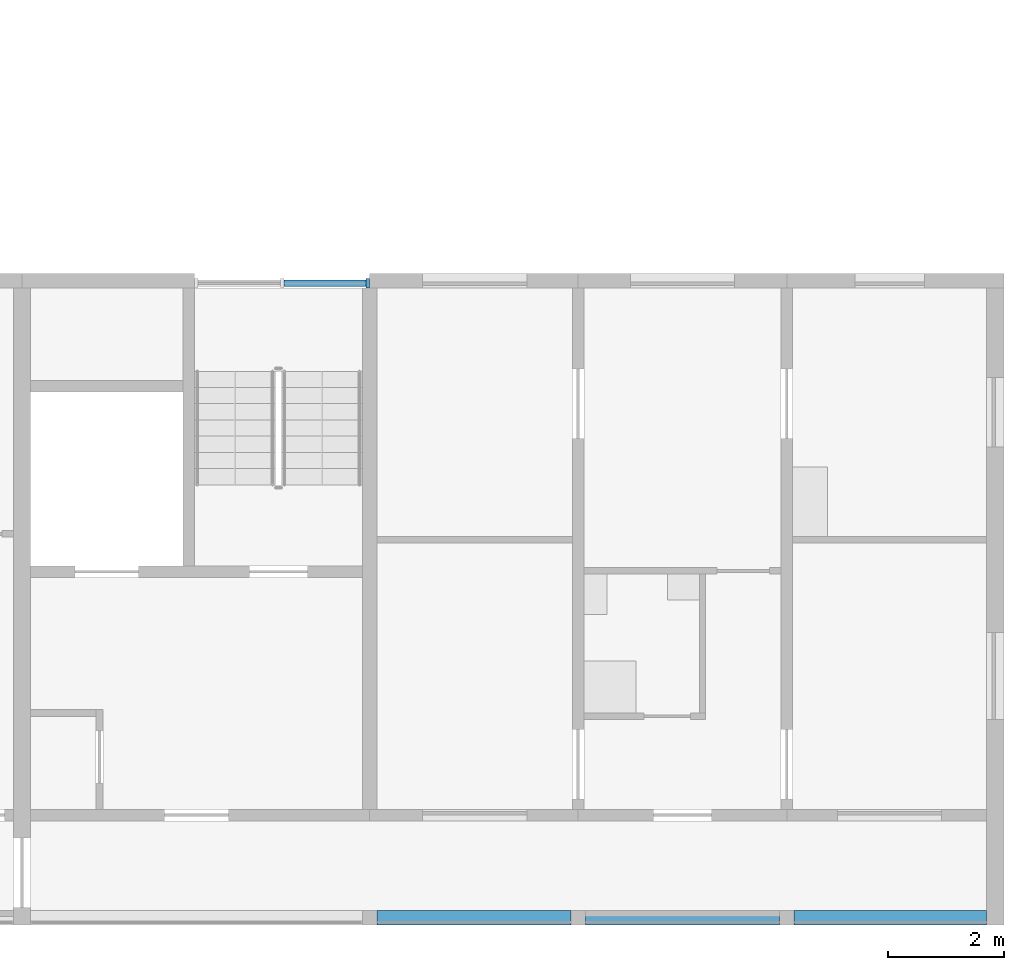
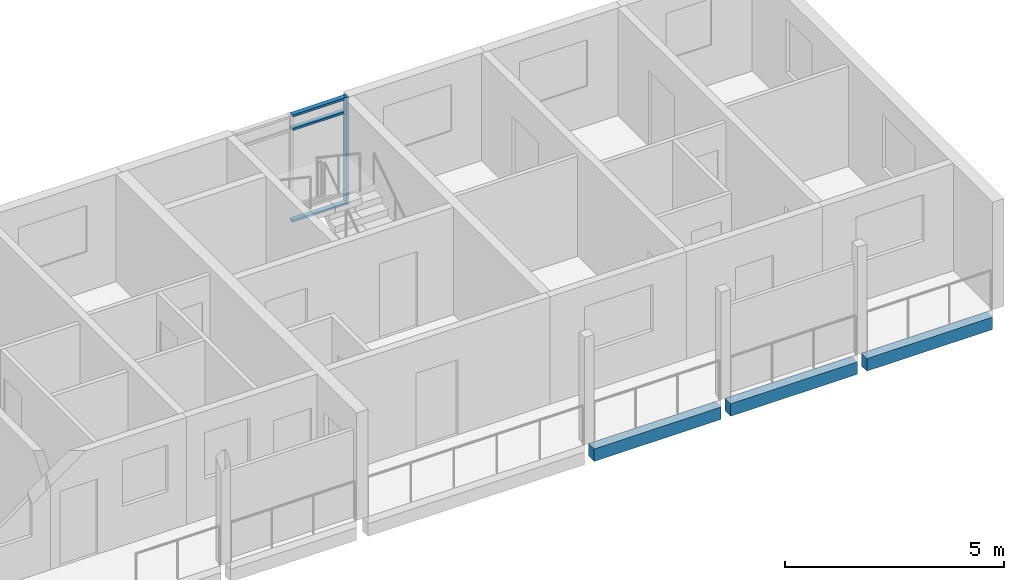
# One storey, part 18 of 78: 4 members, 3 beams, 1 element without a shape of its own.
"""IFC4 building model written with IfcOpenShell, lengths in metres."""

from ifc_helpers import new_model, si_unit, direction, frame, origin, origin_2d, place, context, subcontext, project, spatial, rectangle, extrude, material, material_profile, profile_set, type_object, element, aggregate, save


model = new_model("IFC4")

# Units and contexts
model_context = context("Model", 3, precision=1e-05, world=origin(), true_north=direction((0.0, 1.0)))
body_context = subcontext(model_context, "Body", "Model", "MODEL_VIEW")
ifc_project = project(units=[si_unit("LENGTHUNIT", "METRE"), si_unit("AREAUNIT", "SQUARE_METRE"), si_unit("VOLUMEUNIT", "CUBIC_METRE"), si_unit("PLANEANGLEUNIT", "RADIAN"), si_unit("MASSUNIT", "GRAM", prefix="KILO")], contexts=[model_context])

# Site, building, storey
site_placement = place(None, origin())
site = spatial("IfcSite", under=ifc_project, at=site_placement, CompositionType="ELEMENT")
building_placement = place(site_placement, origin())
building = spatial("IfcBuilding", under=site, at=building_placement, Name="Ridgestep Commons", CompositionType="ELEMENT")
storey_placement = place(building_placement, frame((0.0, 0.0, 30.0)))
storey = spatial("IfcBuildingStorey", under=building, at=storey_placement, Name="L10", CompositionType="ELEMENT", Elevation=30.0)

# Beams
ifc_material_1 = material(Name="Precast concrete C40/50", Category="concrete")
ifc_material_profile_1 = material_profile(ifc_material_1, rectangle(XDim=0.25, YDim=0.35009765625, at=origin_2d()), Name="PC 250x350")
ifc_profile_set_1 = profile_set([ifc_material_profile_1], Name="Precast concrete C40/50")
beam_type = type_object("IfcBeamType", Name="Loggia edge beam 250 x 350", PredefinedType="SPANDREL", material=ifc_profile_set_1)
beam_1_placement = place(storey_placement, frame((236.925048828125, 11.875, -0.375), z_axis=(1.0, 0.0, 0.0), x_axis=(0.0, 1.0, 0.0)))
element("IfcBeam", 1, at=beam_1_placement, inside=storey, type_object=beam_type, Name="Loggia edge beam D6T3 L10", PredefinedType="SPANDREL", context=body_context, shape_type="SweptSolid", body=[
    extrude(rectangle(XDim=0.25, YDim=0.35009765625, at=origin_2d()), origin(), (0.0, 0.0, 1.0), 3.349853515625),
])
beam_2_placement = place(storey_placement, frame((240.52490234375, 11.875, -0.375), z_axis=(1.0, 0.0, 0.0), x_axis=(0.0, 1.0, 0.0)))
element("IfcBeam", 2, at=beam_2_placement, inside=storey, type_object=beam_type, Name="Loggia edge beam D6T2 L10", PredefinedType="SPANDREL", context=body_context, shape_type="SweptSolid", body=[
    extrude(rectangle(XDim=0.25, YDim=0.35009765625, at=origin_2d()), origin(), (0.0, 0.0, 1.0), 3.35009765625),
])
beam_3_placement = place(storey_placement, frame((244.125, 11.875, -0.375), z_axis=(1.0, 0.0, 0.0), x_axis=(0.0, 1.0, 0.0)))
element("IfcBeam", 3, at=beam_3_placement, inside=storey, type_object=beam_type, Name="Loggia edge beam D6T1 L10", PredefinedType="SPANDREL", context=body_context, shape_type="SweptSolid", body=[
    extrude(rectangle(XDim=0.25, YDim=0.35009765625, at=origin_2d()), origin(), (0.0, 0.0, 1.0), 3.324951171875),
])

# Curtain wall, members
ifc_material_2 = material(Name="Aluminium 6063-T6 and glass", Category="aluminium")
curtain_wall_type = type_object("IfcCurtainWallType", Name="Curtain wall stair strip", PredefinedType="NOTDEFINED", material=ifc_material_2)
curtain_wall_placement = place(storey_placement, origin())
curtain_wall = element("IfcCurtainWall", 4, at=curtain_wall_placement, inside=storey, type_object=curtain_wall_type, Name="Curtain wall D6C level 10", PredefinedType="NOTDEFINED")
ifc_material_3 = material(Name="Aluminium 6063-T6", Category="aluminium")
ifc_material_profile_2 = material_profile(ifc_material_3, rectangle(XDim=0.159912109375, YDim=0.06005859375, at=origin_2d()), Name="Mullion 60 x 160")
ifc_profile_set_2 = profile_set([ifc_material_profile_2], Name="Aluminium 6063-T6")
member_type_1 = type_object("IfcMemberType", Name="Mullion 60 x 160", PredefinedType="MULLION", material=ifc_profile_set_2)
member_1_placement = place(storey_placement, frame((236.77001953125, 22.830078125, 0.0), z_axis=(0.0, 0.0, 1.0), x_axis=(0.0, 1.0, 0.0)))
member_1 = element("IfcMember", 5, at=member_1_placement, type_object=member_type_1, Name="CW1 mullion 3", PredefinedType="MULLION", context=body_context, shape_type="SweptSolid", body=[
    extrude(rectangle(XDim=0.159912109375, YDim=0.06005859375, at=origin_2d()), origin(), (0.0, 0.0, 1.0), 3.0),
])
ifc_material_4 = material(Name="Aluminium 6063-T6", Category="aluminium")
ifc_material_profile_3 = material_profile(ifc_material_4, rectangle(XDim=0.1201171875, YDim=0.06005859375, at=origin_2d()), Name="Transom 60 x 120")
ifc_profile_set_3 = profile_set([ifc_material_profile_3], Name="Aluminium 6063-T6")
member_type_2 = type_object("IfcMemberType", Name="Transom 60 x 120", PredefinedType="USERDEFINED", material=ifc_profile_set_3)
member_2_placement = place(storey_placement, frame((235.3173828125, 22.830078125, 0.030029296875), z_axis=(1.0, 0.0, 0.0), x_axis=(0.0, 1.0, 0.0)))
member_2 = element("IfcMember", 6, at=member_2_placement, type_object=member_type_2, Name="CW1 transom 2.1", ObjectType="TRANSOM", PredefinedType="USERDEFINED", context=body_context, shape_type="SweptSolid", body=[
    extrude(rectangle(XDim=0.1201171875, YDim=0.06005859375, at=origin_2d()), origin(), (0.0, 0.0, 1.0), 1.422607421875),
])
member_3_placement = place(storey_placement, frame((235.3173828125, 22.830078125, 2.590087890625), z_axis=(1.0, 0.0, 0.0), x_axis=(0.0, 1.0, 0.0)))
member_3 = element("IfcMember", 7, at=member_3_placement, type_object=member_type_2, Name="CW1 transom 2.2", ObjectType="TRANSOM", PredefinedType="USERDEFINED", context=body_context, shape_type="SweptSolid", body=[
    extrude(rectangle(XDim=0.1201171875, YDim=0.06005859375, at=origin_2d()), origin(), (0.0, 0.0, 1.0), 1.422607421875),
])
member_4_placement = place(storey_placement, frame((235.3173828125, 22.830078125, 2.969970703125), z_axis=(1.0, 0.0, 0.0), x_axis=(0.0, 1.0, 0.0)))
member_4 = element("IfcMember", 8, at=member_4_placement, type_object=member_type_2, Name="CW1 transom 2.3", ObjectType="TRANSOM", PredefinedType="USERDEFINED", context=body_context, shape_type="SweptSolid", body=[
    extrude(rectangle(XDim=0.1201171875, YDim=0.06005859375, at=origin_2d()), origin(), (0.0, 0.0, 1.0), 1.422607421875),
])
aggregate(curtain_wall, [member_1, member_2, member_3, member_4])

save(model, "model.ifc")
